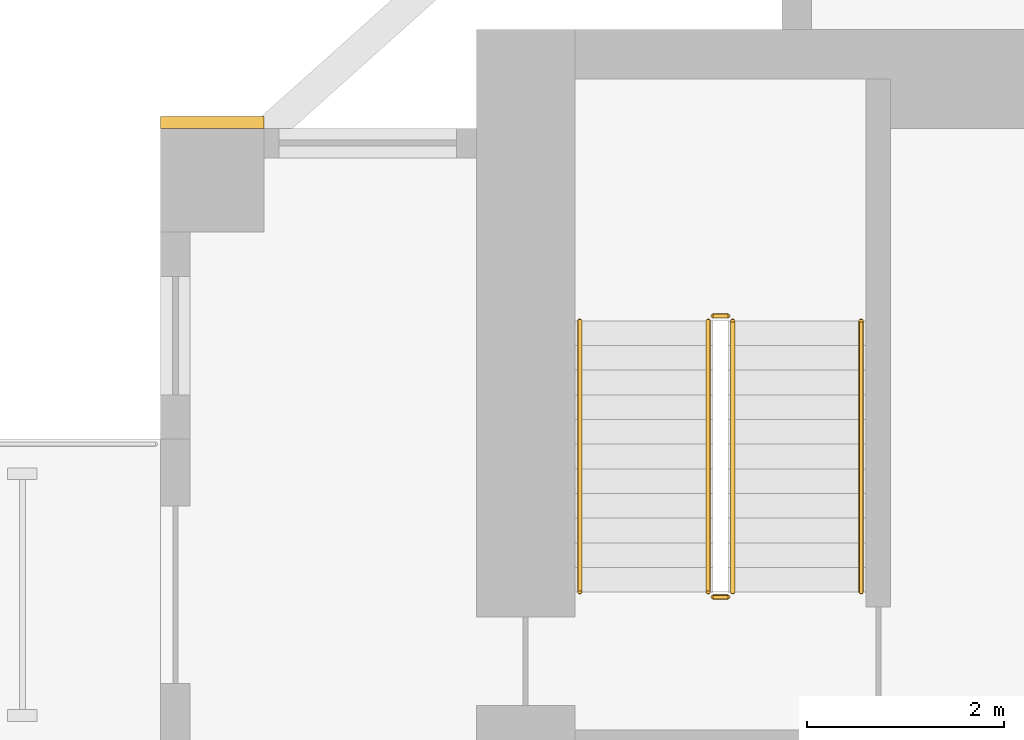
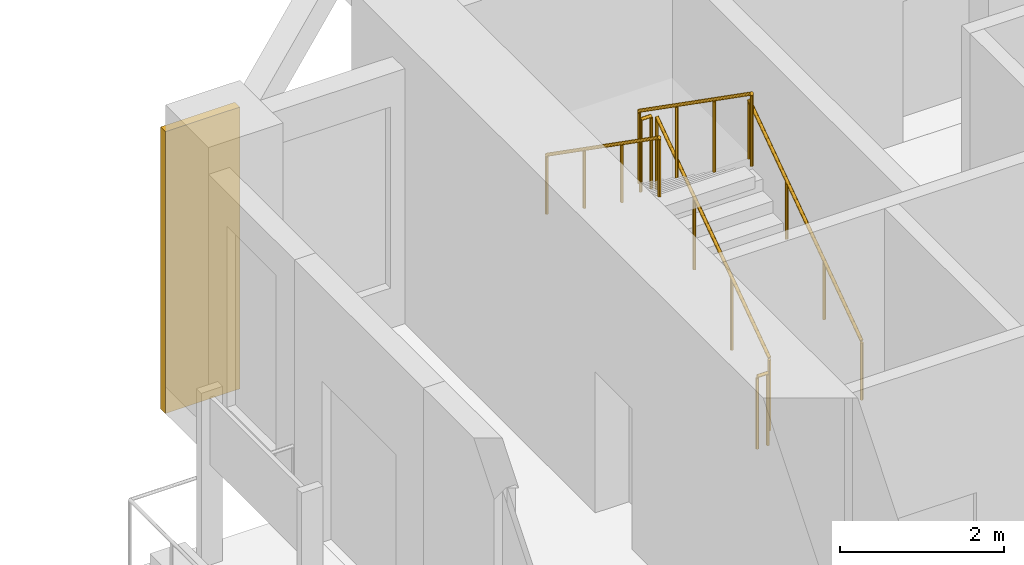
# One storey, part 12 of 15: 6 railings, 1 covering.
"""IFC4 building model written with IfcOpenShell, lengths in metres."""

from ifc_helpers import new_model, si_unit, direction, frame, origin, origin_2d, place, context, subcontext, project, spatial, rectangle, circle, extrude, source, transform, mapped, material, type_object, element, save


model = new_model("IFC4")

# Units and contexts
model_context = context("Model", 3, precision=1e-05, world=origin(), true_north=direction((0.0, 1.0)))
body_context = subcontext(model_context, "Body", "Model", "MODEL_VIEW")
ifc_project = project(units=[si_unit("LENGTHUNIT", "METRE"), si_unit("AREAUNIT", "SQUARE_METRE"), si_unit("VOLUMEUNIT", "CUBIC_METRE"), si_unit("PLANEANGLEUNIT", "RADIAN"), si_unit("MASSUNIT", "GRAM", prefix="KILO")], contexts=[model_context])

# Site, building, storey
site_placement = place(None, origin())
site = spatial("IfcSite", under=ifc_project, at=site_placement, CompositionType="ELEMENT")
building_placement = place(site_placement, origin())
building = spatial("IfcBuilding", under=site, at=building_placement, Name="Aurelian Terraces", CompositionType="ELEMENT")
storey_placement = place(building_placement, frame((0.0, 0.0, 120.3)))
storey = spatial("IfcBuildingStorey", under=building, at=storey_placement, Name="L26", CompositionType="ELEMENT", Elevation=120.3)

# Covering
ifc_material_1 = material(Name="Terracotta rainscreen cladding relief", Category="masonry")
covering_type = type_object("IfcCoveringType", Name="BAGUETTE-TC", PredefinedType="CLADDING", material=ifc_material_1)
shared_shape_1 = source(origin(), body_context, "Body", "SweptSolid", [
    extrude(rectangle(XDim=1.05, YDim=0.12, at=origin_2d()), origin(), (0.0, 0.0, 1.0), 4.2),
])
covering_placement = place(storey_placement, frame((0.525, 21.06, -0.4), z_axis=(0.0, 0.0, 1.0), x_axis=(1.0, 0.0, 0.0)))
element("IfcCovering", 1, at=covering_placement, inside=storey, type_object=covering_type, Name="BAGUETTE pier L26 6", PredefinedType="CLADDING", context=body_context, shape_type="MappedRepresentation", body=[
    mapped(shared_shape_1, transform((0.0, 0.0, 0.0), scale=1.0)),
])

# Railings
ifc_material_2 = material(Name="Stainless steel", Category="steel")
railing_type_1 = type_object("IfcRailingType", Name="Stair guard 1100", PredefinedType="GUARDRAIL", material=ifc_material_2)
shared_shape_2 = source(origin(), body_context, "Body", "SweptSolid", [
    extrude(circle(Radius=0.024, at=origin_2d()), frame((0.0, 0.0, 1.076), z_axis=(-1.0, 0.0, 0.0), x_axis=(0.0, -1.0, 0.0)), (0.0, 0.0, 1.0), 0.15),
    extrude(circle(Radius=0.021, at=origin_2d()), origin(), (0.0, 0.0, 1.0), 1.052),
    extrude(circle(Radius=0.021, at=origin_2d()), frame((-0.15, 0.0, 0.0)), (0.0, 0.0, 1.0), 1.052),
])
for number, where, name in (
    (2, (5.75, 19.1, 2.1), "L26 S1 stair guard 2"),
    (3, (5.75, 16.25, 0.0), "L26 S1 stair guard 4"),
):
    element("IfcRailing", number, at=place(storey_placement, frame(where)), inside=storey, type_object=railing_type_1, Name=name, PredefinedType="GUARDRAIL", context=body_context, shape_type="MappedRepresentation", body=[
        mapped(shared_shape_2, transform((0.0, 0.0, 0.0), scale=1.0)),
    ])
shared_shape_3 = source(origin(), body_context, "Body", "SweptSolid", [
    extrude(circle(Radius=0.024, at=origin_2d()), frame((0.0, 0.0, 1.076), z_axis=(0.0, 0.819231920519, 0.573462344363), x_axis=(-1.0, 0.0, 0.0)), (0.0, 0.0, 1.0), 3.3568),
    extrude(circle(Radius=0.021, at=origin_2d()), origin(), (0.0, 0.0, 1.0), 1.052),
    extrude(circle(Radius=0.021, at=origin_2d()), frame((0.0, 0.9167, 0.6417)), (0.0, 0.0, 1.0), 1.052),
    extrude(circle(Radius=0.021, at=origin_2d()), frame((0.0, 1.8333, 1.2833)), (0.0, 0.0, 1.0), 1.052),
    extrude(circle(Radius=0.021, at=origin_2d()), frame((0.0, 2.75, 1.925)), (0.0, 0.0, 1.0), 1.052),
])
railing_1_placement = place(storey_placement, frame((5.8, 16.3, 0.175)))
element("IfcRailing", 4, at=railing_1_placement, inside=storey, type_object=railing_type_1, Name="L26 S1 stair guard 1", PredefinedType="GUARDRAIL", context=body_context, shape_type="MappedRepresentation", body=[
    mapped(shared_shape_3, transform((0.0, 0.0, 0.0), scale=1.0)),
])
shared_shape_4 = source(origin(), body_context, "Body", "SweptSolid", [
    extrude(circle(Radius=0.024, at=origin_2d()), frame((0.0, 0.0, 1.076), z_axis=(0.0, -0.819231920519, 0.573462344363), x_axis=(1.0, 0.0, 0.0)), (0.0, 0.0, 1.0), 3.3568),
    extrude(circle(Radius=0.021, at=origin_2d()), origin(), (0.0, 0.0, 1.0), 1.052),
    extrude(circle(Radius=0.021, at=origin_2d()), frame((0.0, -0.9167, 0.6417)), (0.0, 0.0, 1.0), 1.052),
    extrude(circle(Radius=0.021, at=origin_2d()), frame((0.0, -1.8333, 1.2833)), (0.0, 0.0, 1.0), 1.052),
    extrude(circle(Radius=0.021, at=origin_2d()), frame((0.0, -2.75, 1.925)), (0.0, 0.0, 1.0), 1.052),
])
railing_2_placement = place(storey_placement, frame((5.55, 19.05, 2.275)))
element("IfcRailing", 5, at=railing_2_placement, inside=storey, type_object=railing_type_1, Name="L26 S1 stair guard 3", PredefinedType="GUARDRAIL", context=body_context, shape_type="MappedRepresentation", body=[
    mapped(shared_shape_4, transform((0.0, 0.0, 0.0), scale=1.0)),
])
railing_type_2 = type_object("IfcRailingType", Name="Stair handrail", PredefinedType="HANDRAIL", material=ifc_material_2)
shared_shape_5 = source(origin(), body_context, "Body", "SweptSolid", [
    extrude(circle(Radius=0.024, at=origin_2d()), frame((0.0, 0.0, 0.876), z_axis=(0.0, 0.819231920519, 0.573462344363), x_axis=(-1.0, 0.0, 0.0)), (0.0, 0.0, 1.0), 3.3568),
    extrude(circle(Radius=0.021, at=origin_2d()), origin(), (0.0, 0.0, 1.0), 0.852),
    extrude(circle(Radius=0.021, at=origin_2d()), frame((0.0, 0.9167, 0.6417)), (0.0, 0.0, 1.0), 0.852),
    extrude(circle(Radius=0.021, at=origin_2d()), frame((0.0, 1.8333, 1.2833)), (0.0, 0.0, 1.0), 0.852),
    extrude(circle(Radius=0.021, at=origin_2d()), frame((0.0, 2.75, 1.925)), (0.0, 0.0, 1.0), 0.852),
])
railing_3_placement = place(storey_placement, frame((7.1, 16.3, 0.175)))
element("IfcRailing", 6, at=railing_3_placement, inside=storey, type_object=railing_type_2, Name="L26 S1 stair handrail 1", PredefinedType="HANDRAIL", context=body_context, shape_type="MappedRepresentation", body=[
    mapped(shared_shape_5, transform((0.0, 0.0, 0.0), scale=1.0)),
])
shared_shape_6 = source(origin(), body_context, "Body", "SweptSolid", [
    extrude(circle(Radius=0.024, at=origin_2d()), frame((0.0, 0.0, 0.876), z_axis=(0.0, -0.819231920519, 0.573462344363), x_axis=(1.0, 0.0, 0.0)), (0.0, 0.0, 1.0), 3.3568),
    extrude(circle(Radius=0.021, at=origin_2d()), origin(), (0.0, 0.0, 1.0), 0.852),
    extrude(circle(Radius=0.021, at=origin_2d()), frame((0.0, -0.9167, 0.6417)), (0.0, 0.0, 1.0), 0.852),
    extrude(circle(Radius=0.021, at=origin_2d()), frame((0.0, -1.8333, 1.2833)), (0.0, 0.0, 1.0), 0.852),
    extrude(circle(Radius=0.021, at=origin_2d()), frame((0.0, -2.75, 1.925)), (0.0, 0.0, 1.0), 0.852),
])
railing_4_placement = place(storey_placement, frame((4.25, 19.05, 2.275)))
element("IfcRailing", 7, at=railing_4_placement, inside=storey, type_object=railing_type_2, Name="L26 S1 stair handrail 2", PredefinedType="HANDRAIL", context=body_context, shape_type="MappedRepresentation", body=[
    mapped(shared_shape_6, transform((0.0, 0.0, 0.0), scale=1.0)),
])

save(model, "model.ifc")
